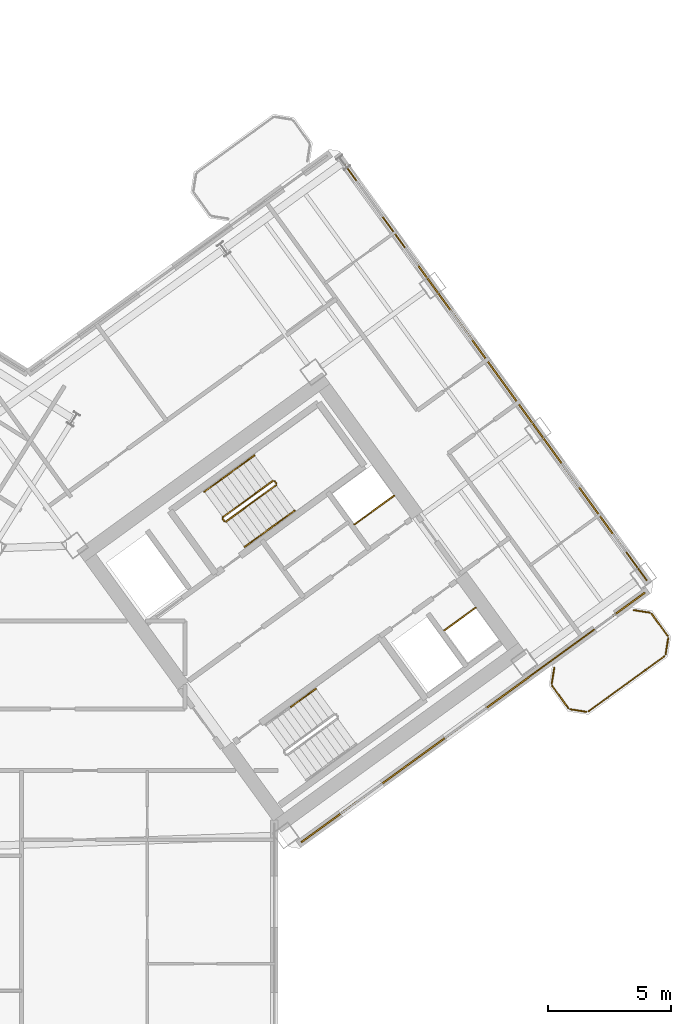
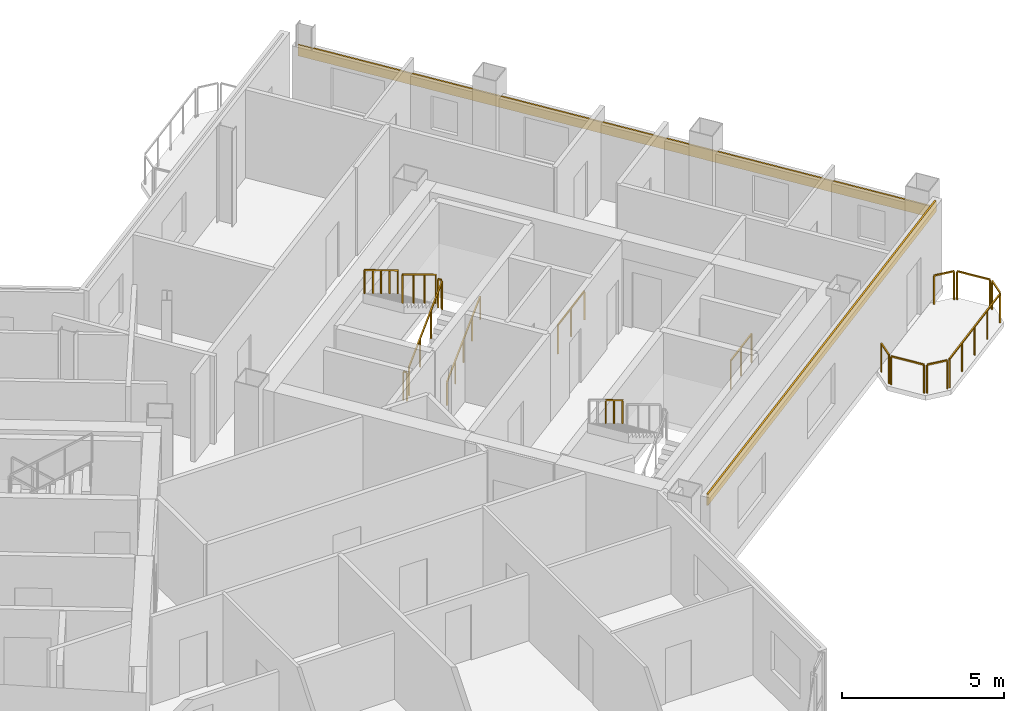
# One storey, part 20 of 21: 18 railings, 2 coverings.
"""IFC4 building model written with IfcOpenShell, lengths in metres."""

from ifc_helpers import new_model, si_unit, direction, frame, origin, origin_2d, place, context, subcontext, project, spatial, rectangle, extrude, source, transform, mapped, material, layer, layer_set, type_object, element, save


model = new_model("IFC4")

# Units and contexts
model_context = context("Model", 3, precision=1e-05, world=origin(), true_north=direction((0.0, 1.0)))
body_context = subcontext(model_context, "Body", "Model", "MODEL_VIEW")
ifc_project = project(units=[si_unit("LENGTHUNIT", "METRE"), si_unit("AREAUNIT", "SQUARE_METRE"), si_unit("VOLUMEUNIT", "CUBIC_METRE"), si_unit("PLANEANGLEUNIT", "RADIAN"), si_unit("MASSUNIT", "GRAM", prefix="KILO")], contexts=[model_context])

# Site, building, storey
site_placement = place(None, origin())
site = spatial("IfcSite", under=ifc_project, at=site_placement, CompositionType="ELEMENT")
building_placement = place(site_placement, origin())
building = spatial("IfcBuilding", under=site, at=building_placement, Name="Tlacorven Tower", CompositionType="ELEMENT")
storey_placement = place(building_placement, frame((0.0, 0.0, 191.39990234375)))
storey = spatial("IfcBuildingStorey", under=building, at=storey_placement, Name="L48", CompositionType="ELEMENT", Elevation=191.39990234375)

# Railings
ifc_material_1 = material(Name="Aluminium and painted steel balustrade", Category="steel")
railing_type_1 = type_object("IfcRailingType", Name="RL-GRD-1100", PredefinedType="GUARDRAIL", material=ifc_material_1)
shared_shape_1 = source(origin(), body_context, "Body", "SweptSolid", [
    extrude(rectangle(XDim=0.048095703125, YDim=0.048095703125, at=origin_2d()), frame((0.0, 0.0, 1.076171875), z_axis=(0.808947177504, 0.587881334972, 0.0), x_axis=(-0.587881334972, 0.808947177504, 0.0)), (0.0, 0.0, 1.0), 2.0),
    extrude(rectangle(XDim=0.0419921875, YDim=0.0419921875, at=origin_2d()), origin(), (0.0, 0.0, 1.0), 1.052001953125),
    extrude(rectangle(XDim=0.0419921875, YDim=0.0419921875, at=origin_2d()), frame((0.80908203125, 0.587890625, 0.0)), (0.0, 0.0, 1.0), 1.052001953125),
    extrude(rectangle(XDim=0.0419921875, YDim=0.0419921875, at=origin_2d()), frame((1.617919921875, 1.17578125, 0.0)), (0.0, 0.0, 1.0), 1.052001953125),
])
railing_1_placement = place(storey_placement, frame((55.506103515625, 25.438232421875, 0.0)))
element("IfcRailing", 1, at=railing_1_placement, inside=storey, type_object=railing_type_1, Name="L48 Electrical Riser E Shaft Guard 1", PredefinedType="GUARDRAIL", context=body_context, shape_type="MappedRepresentation", body=[
    mapped(shared_shape_1, transform((0.0, 0.0, 0.0), scale=1.0)),
])
shared_shape_2 = source(origin(), body_context, "Body", "SweptSolid", [
    extrude(rectangle(XDim=0.048095703125, YDim=0.048095703125, at=origin_2d()), frame((0.0, 0.0, 1.076171875), z_axis=(0.809029975545, 0.58776738483, 0.0), x_axis=(-0.58776738483, 0.809029975545, 0.0)), (0.0, 0.0, 1.0), 1.580078125),
    extrude(rectangle(XDim=0.0419921875, YDim=0.0419921875, at=origin_2d()), origin(), (0.0, 0.0, 1.0), 1.052001953125),
    extrude(rectangle(XDim=0.0419921875, YDim=0.0419921875, at=origin_2d()), frame((0.63916015625, 0.46435546875, 0.0)), (0.0, 0.0, 1.0), 1.052001953125),
    extrude(rectangle(XDim=0.0419921875, YDim=0.0419921875, at=origin_2d()), frame((1.2783203125, 0.9287109375, 0.0)), (0.0, 0.0, 1.0), 1.052001953125),
])
railing_2_placement = place(storey_placement, frame((59.160888671875, 21.122314453125, 0.0)))
element("IfcRailing", 2, at=railing_2_placement, inside=storey, type_object=railing_type_1, Name="L48 Smoke Riser E Shaft Guard 1", PredefinedType="GUARDRAIL", context=body_context, shape_type="MappedRepresentation", body=[
    mapped(shared_shape_2, transform((0.0, 0.0, 0.0), scale=1.0)),
])
railing_type_2 = type_object("IfcRailingType", Name="RL-BAL-1100", PredefinedType="BALUSTRADE", material=ifc_material_1)
shared_shape_3 = source(origin(), body_context, "Body", "SweptSolid", [
    extrude(rectangle(XDim=0.048095703125, YDim=0.048095703125, at=origin_2d()), frame((0.0, 0.0, 1.076171875), z_axis=(0.156602868908, 0.987661653326, 0.0), x_axis=(-0.987661653326, 0.156602868908, 0.0)), (0.0, 0.0, 1.0), 0.665771484375),
    extrude(rectangle(XDim=0.0419921875, YDim=0.0419921875, at=origin_2d()), origin(), (0.0, 0.0, 1.0), 1.052001953125),
    extrude(rectangle(XDim=0.0419921875, YDim=0.0419921875, at=origin_2d()), frame((0.104248046875, 0.657470703125, 0.0)), (0.0, 0.0, 1.0), 1.052001953125),
])
railing_3_placement = place(storey_placement, frame((63.539306640625, 18.949951171875, 0.0)))
element("IfcRailing", 3, at=railing_3_placement, inside=storey, type_object=railing_type_2, Name="BAL-L48-E-OUT Guard Railing 3", PredefinedType="BALUSTRADE", context=body_context, shape_type="MappedRepresentation", body=[
    mapped(shared_shape_3, transform((0.0, 0.0, 0.0), scale=1.0)),
])
shared_shape_4 = source(origin(), body_context, "Body", "SweptSolid", [
    extrude(rectangle(XDim=0.048095703125, YDim=0.048095703125, at=origin_2d()), frame((0.0, 0.0, 1.076171875), z_axis=(0.58788449985, -0.808944877501, 0.0), x_axis=(0.808944877501, 0.58788449985, 0.0)), (0.0, 0.0, 1.0), 1.112060546875),
    extrude(rectangle(XDim=0.0419921875, YDim=0.0419921875, at=origin_2d()), origin(), (0.0, 0.0, 1.0), 1.052001953125),
    extrude(rectangle(XDim=0.0419921875, YDim=0.0419921875, at=origin_2d()), frame((0.65380859375, -0.899658203125, 0.0)), (0.0, 0.0, 1.0), 1.052001953125),
])
railing_4_placement = place(storey_placement, frame((67.60595703125, 21.799072265625, 0.0)))
element("IfcRailing", 4, at=railing_4_placement, inside=storey, type_object=railing_type_2, Name="BAL-L48-E-OUT Guard Railing 5", PredefinedType="BALUSTRADE", context=body_context, shape_type="MappedRepresentation", body=[
    mapped(shared_shape_4, transform((0.0, 0.0, 0.0), scale=1.0)),
])
shared_shape_5 = source(origin(), body_context, "Body", "SweptSolid", [
    extrude(rectangle(XDim=0.048095703125, YDim=0.048095703125, at=origin_2d()), frame((0.0, 0.0, 1.076171875), z_axis=(-0.809018102573, -0.587783726986, 0.0), x_axis=(0.587783726986, -0.809018102573, 0.0)), (0.0, 0.0, 1.0), 3.817138671875),
    extrude(rectangle(XDim=0.0419921875, YDim=0.0419921875, at=origin_2d()), origin(), (0.0, 0.0, 1.0), 1.052001953125),
    extrude(rectangle(XDim=0.0419921875, YDim=0.0419921875, at=origin_2d()), frame((-0.77197265625, -0.56103515625, 0.0)), (0.0, 0.0, 1.0), 1.052001953125),
    extrude(rectangle(XDim=0.0419921875, YDim=0.0419921875, at=origin_2d()), frame((-1.5439453125, -1.121826171875, 0.0)), (0.0, 0.0, 1.0), 1.052001953125),
    extrude(rectangle(XDim=0.0419921875, YDim=0.0419921875, at=origin_2d()), frame((-2.316162109375, -1.6826171875, 0.0)), (0.0, 0.0, 1.0), 1.052001953125),
    extrude(rectangle(XDim=0.0419921875, YDim=0.0419921875, at=origin_2d()), frame((-3.088134765625, -2.24365234375, 0.0)), (0.0, 0.0, 1.0), 1.052001953125),
])
railing_5_placement = place(storey_placement, frame((68.12890625, 20.0732421875, 0.0)))
element("IfcRailing", 5, at=railing_5_placement, inside=storey, type_object=railing_type_2, Name="BAL-L48-E-OUT Guard Railing 7", PredefinedType="BALUSTRADE", context=body_context, shape_type="MappedRepresentation", body=[
    mapped(shared_shape_5, transform((0.0, 0.0, 0.0), scale=1.0)),
])
shared_shape_6 = source(origin(), body_context, "Body", "SweptSolid", [
    extrude(rectangle(XDim=0.048095703125, YDim=0.048095703125, at=origin_2d()), frame((0.0, 0.0, 1.076171875), z_axis=(-0.987718317463, 0.156245081039, 0.0), x_axis=(-0.156245081039, -0.987718317463, 0.0)), (0.0, 0.0, 1.0), 0.66552734375),
    extrude(rectangle(XDim=0.0419921875, YDim=0.0419921875, at=origin_2d()), origin(), (0.0, 0.0, 1.0), 1.052001953125),
    extrude(rectangle(XDim=0.0419921875, YDim=0.0419921875, at=origin_2d()), frame((-0.657470703125, 0.10400390625, 0.0)), (0.0, 0.0, 1.0), 1.052001953125),
])
railing_6_placement = place(storey_placement, frame((64.950927734375, 17.80810546875, 0.0)))
element("IfcRailing", 6, at=railing_6_placement, inside=storey, type_object=railing_type_2, Name="BAL-L48-E-OUT Guard Railing 1", PredefinedType="BALUSTRADE", context=body_context, shape_type="MappedRepresentation", body=[
    mapped(shared_shape_6, transform((0.0, 0.0, 0.0), scale=1.0)),
])
shared_shape_7 = source(origin(), body_context, "Body", "SweptSolid", [
    extrude(rectangle(XDim=0.048095703125, YDim=0.048095703125, at=origin_2d()), frame((0.0, 0.0, 1.076171875), z_axis=(-0.587740817519, 0.809049276263, 0.0), x_axis=(-0.809049276263, -0.587740817519, 0.0)), (0.0, 0.0, 1.0), 1.112060546875),
    extrude(rectangle(XDim=0.0419921875, YDim=0.0419921875, at=origin_2d()), origin(), (0.0, 0.0, 1.0), 1.052001953125),
    extrude(rectangle(XDim=0.0419921875, YDim=0.0419921875, at=origin_2d()), frame((-0.653564453125, 0.899658203125, 0.0)), (0.0, 0.0, 1.0), 1.052001953125),
])
railing_7_placement = place(storey_placement, frame((64.214599609375, 17.96044921875, 0.0)))
element("IfcRailing", 7, at=railing_7_placement, inside=storey, type_object=railing_type_2, Name="BAL-L48-E-OUT Guard Railing 2", PredefinedType="BALUSTRADE", context=body_context, shape_type="MappedRepresentation", body=[
    mapped(shared_shape_7, transform((0.0, 0.0, 0.0), scale=1.0)),
])
shared_shape_8 = source(origin(), body_context, "Body", "SweptSolid", [
    extrude(rectangle(XDim=0.048095703125, YDim=0.048095703125, at=origin_2d()), frame((0.0, 0.0, 1.076171875), z_axis=(-0.156245081039, -0.987718317463, 0.0), x_axis=(0.987718317463, -0.156245081039, 0.0)), (0.0, 0.0, 1.0), 0.66552734375),
    extrude(rectangle(XDim=0.0419921875, YDim=0.0419921875, at=origin_2d()), origin(), (0.0, 0.0, 1.0), 1.052001953125),
    extrude(rectangle(XDim=0.0419921875, YDim=0.0419921875, at=origin_2d()), frame((-0.10400390625, -0.657470703125, 0.0)), (0.0, 0.0, 1.0), 1.052001953125),
])
railing_8_placement = place(storey_placement, frame((68.28125, 20.8095703125, 0.0)))
element("IfcRailing", 8, at=railing_8_placement, inside=storey, type_object=railing_type_2, Name="BAL-L48-E-OUT Guard Railing 6", PredefinedType="BALUSTRADE", context=body_context, shape_type="MappedRepresentation", body=[
    mapped(shared_shape_8, transform((0.0, 0.0, 0.0), scale=1.0)),
])

# Coverings
ifc_material_2 = material(Name="Precast concrete C45/55", Category="concrete")
ifc_layer = layer(ifc_material_2, 0.06005859375)
ifc_layer_set = layer_set([ifc_layer], Name="Precast concrete C45/55")
covering_type = type_object("IfcCoveringType", Name="CV-CLD-TERC", PredefinedType="CLADDING", material=ifc_layer_set)
shared_shape_9 = source(origin(), body_context, "Body", "SweptSolid", [
    extrude(rectangle(XDim=21.287353515625, YDim=0.06005859375, at=origin_2d()), origin(), (0.0, 0.0, 1.0), 0.419921875),
])
covering_1_placement = place(storey_placement, frame((61.15478515625, 31.767333984375, 2.375244140625), z_axis=(0.0, 0.0, 1.0), x_axis=(0.587785363163, -0.809016913823, 0.0)))
element("IfcCovering", 9, at=covering_1_placement, inside=storey, type_object=covering_type, Name="L48 Masonry-Frame Spandrel Cladding 5", PredefinedType="CLADDING", context=body_context, shape_type="MappedRepresentation", body=[
    mapped(shared_shape_9, transform((0.0, 0.0, 0.0), scale=1.0)),
])
shared_shape_10 = source(origin(), body_context, "Body", "SweptSolid", [
    extrude(rectangle(XDim=17.287353515625, YDim=0.06005859375, at=origin_2d()), origin(), (0.0, 0.0, 1.0), 0.419921875),
])
covering_2_placement = place(storey_placement, frame((60.339111328125, 17.578125, 2.900146484375), z_axis=(0.0, 0.0, 1.0), x_axis=(-0.809016829126, -0.587785479738, 0.0)))
element("IfcCovering", 10, at=covering_2_placement, inside=storey, type_object=covering_type, Name="L48 Masonry-Frame Spandrel Cladding 6", PredefinedType="CLADDING", context=body_context, shape_type="MappedRepresentation", body=[
    mapped(shared_shape_10, transform((0.0, 0.0, 0.0), scale=1.0)),
])

# Railings
shared_shape_11 = source(origin(), body_context, "Body", "SweptSolid", [
    extrude(rectangle(XDim=0.048095703125, YDim=0.048095703125, at=origin_2d()), frame((0.0, 0.0, 1.076171875), z_axis=(0.987727266442, -0.156188498702, 0.0), x_axis=(0.156188498702, 0.987727266442, 0.0)), (0.0, 0.0, 1.0), 0.665771484375),
    extrude(rectangle(XDim=0.0419921875, YDim=0.0419921875, at=origin_2d()), origin(), (0.0, 0.0, 1.0), 1.052001953125),
    extrude(rectangle(XDim=0.0419921875, YDim=0.0419921875, at=origin_2d()), frame((0.65771484375, -0.10400390625, 0.0)), (0.0, 0.0, 1.0), 1.052001953125),
])
railing_9_placement = place(storey_placement, frame((66.86962890625, 21.951416015625, 0.0)))
element("IfcRailing", 11, at=railing_9_placement, inside=storey, type_object=railing_type_2, Name="BAL-L48-E-OUT Guard Railing 4", PredefinedType="BALUSTRADE", context=body_context, shape_type="MappedRepresentation", body=[
    mapped(shared_shape_11, transform((0.0, 0.0, 0.0), scale=1.0)),
])
shared_shape_12 = source(origin(), body_context, "Body", "SweptSolid", [
    extrude(rectangle(XDim=0.048095703125, YDim=0.048095703125, at=origin_2d()), frame((0.0, 0.0, 1.076171875), z_axis=(-0.587201422542, 0.809440849824, 0.0), x_axis=(-0.809440849824, -0.587201422542, 0.0)), (0.0, 0.0, 1.0), 0.11962890625),
    extrude(rectangle(XDim=0.0419921875, YDim=0.0419921875, at=origin_2d()), origin(), (0.0, 0.0, 1.0), 1.052001953125),
    extrude(rectangle(XDim=0.0419921875, YDim=0.0419921875, at=origin_2d()), frame((-0.0703125, 0.096923828125, 0.0)), (0.0, 0.0, 1.0), 1.052001953125),
])
for number, where, name in (
    (12, (52.326904296875, 27.10888671875, 1.800048828125), "L48 ST-E1 stair guard 2"),
    (13, (50.207275390625, 25.56884765625, 0.0), "L48 ST-E1 stair guard 4"),
):
    element("IfcRailing", number, at=place(storey_placement, frame(where)), inside=storey, type_object=railing_type_1, Name=name, PredefinedType="GUARDRAIL", context=body_context, shape_type="MappedRepresentation", body=[
        mapped(shared_shape_12, transform((0.0, 0.0, 0.0), scale=1.0)),
    ])
shared_shape_13 = source(origin(), body_context, "Body", "SweptSolid", [
    extrude(rectangle(XDim=0.048095703125, YDim=0.048095703125, at=origin_2d()), frame((0.0, 0.0, 1.076171875), z_axis=(-0.680488636597, -0.494434078831, 0.540805100894), x_axis=(0.5878087079, -0.808999952359, 0.0)), (0.0, 0.0, 1.0), 2.995849609375),
    extrude(rectangle(XDim=0.0419921875, YDim=0.0419921875, at=origin_2d()), origin(), (0.0, 0.0, 1.0), 1.052001953125),
    extrude(rectangle(XDim=0.0419921875, YDim=0.0419921875, at=origin_2d()), frame((-0.679443359375, -0.49365234375, 0.5400390625)), (0.0, 0.0, 1.0), 1.052001953125),
    extrude(rectangle(XDim=0.0419921875, YDim=0.0419921875, at=origin_2d()), frame((-1.359130859375, -0.987548828125, 1.080078125)), (0.0, 0.0, 1.0), 1.052001953125),
    extrude(rectangle(XDim=0.0419921875, YDim=0.0419921875, at=origin_2d()), frame((-2.03857421875, -1.481201171875, 1.6201171875)), (0.0, 0.0, 1.0), 1.052001953125),
])
railing_10_placement = place(storey_placement, frame((52.1865234375, 27.217041015625, 1.97998046875)))
element("IfcRailing", 14, at=railing_10_placement, inside=storey, type_object=railing_type_1, Name="L48 ST-E1 stair guard 3", PredefinedType="GUARDRAIL", context=body_context, shape_type="MappedRepresentation", body=[
    mapped(shared_shape_13, transform((0.0, 0.0, 0.0), scale=1.0)),
])
railing_type_3 = type_object("IfcRailingType", Name="RL-HND-0900", PredefinedType="HANDRAIL", material=ifc_material_1)
shared_shape_14 = source(origin(), body_context, "Body", "SweptSolid", [
    extrude(rectangle(XDim=0.048095703125, YDim=0.048095703125, at=origin_2d()), frame((0.0, 0.0, 0.8759765625), z_axis=(0.680548719995, 0.49444080854, 0.540723336433), x_axis=(-0.587779977844, 0.80902082646, 0.0)), (0.0, 0.0, 1.0), 1.498046875),
    extrude(rectangle(XDim=0.0419921875, YDim=0.0419921875, at=origin_2d()), origin(), (0.0, 0.0, 1.0), 0.851806640625),
    extrude(rectangle(XDim=0.0419921875, YDim=0.0419921875, at=origin_2d()), frame((0.509765625, 0.370361328125, 0.405029296875)), (0.0, 0.0, 1.0), 0.851806640625),
    extrude(rectangle(XDim=0.0419921875, YDim=0.0419921875, at=origin_2d()), frame((1.01953125, 0.74072265625, 0.81005859375)), (0.0, 0.0, 1.0), 0.851806640625),
])
railing_11_placement = place(storey_placement, frame((52.048828125, 25.2626953125, 0.989990234375)))
element("IfcRailing", 15, at=railing_11_placement, inside=storey, type_object=railing_type_3, Name="L48 ST-E1 stair handrail 2", PredefinedType="HANDRAIL", context=body_context, shape_type="MappedRepresentation", body=[
    mapped(shared_shape_14, transform((0.0, 0.0, 0.0), scale=1.0)),
])
shared_shape_15 = source(origin(), body_context, "Body", "SweptSolid", [
    extrude(rectangle(XDim=0.048095703125, YDim=0.048095703125, at=origin_2d()), frame((0.0, 0.0, 0.8759765625), z_axis=(-0.680603554404, -0.494317667746, 0.540766904577), x_axis=(0.587653156371, -0.809112951205, 0.0)), (0.0, 0.0, 1.0), 1.498046875),
    extrude(rectangle(XDim=0.0419921875, YDim=0.0419921875, at=origin_2d()), origin(), (0.0, 0.0, 1.0), 0.851806640625),
    extrude(rectangle(XDim=0.0419921875, YDim=0.0419921875, at=origin_2d()), frame((-0.509765625, -0.3701171875, 0.405029296875)), (0.0, 0.0, 1.0), 0.851806640625),
    extrude(rectangle(XDim=0.0419921875, YDim=0.0419921875, at=origin_2d()), frame((-1.01953125, -0.740478515625, 0.81005859375)), (0.0, 0.0, 1.0), 0.851806640625),
])
railing_12_placement = place(storey_placement, frame((51.434326171875, 28.25244140625, 1.97998046875)))
element("IfcRailing", 16, at=railing_12_placement, inside=storey, type_object=railing_type_3, Name="L48 ST-E1 stair handrail 3", PredefinedType="HANDRAIL", context=body_context, shape_type="MappedRepresentation", body=[
    mapped(shared_shape_15, transform((0.0, 0.0, 0.0), scale=1.0)),
])
shared_shape_16 = source(origin(), body_context, "Body", "SweptSolid", [
    extrude(rectangle(XDim=0.048095703125, YDim=0.048095703125, at=origin_2d()), frame((0.0, 0.0, 0.8759765625), z_axis=(-0.680461216233, -0.494495647917, 0.540783309093), x_axis=(0.587872112667, -0.808953879494, 0.0)), (0.0, 0.0, 1.0), 1.498046875),
    extrude(rectangle(XDim=0.0419921875, YDim=0.0419921875, at=origin_2d()), origin(), (0.0, 0.0, 1.0), 0.851806640625),
    extrude(rectangle(XDim=0.0419921875, YDim=0.0419921875, at=origin_2d()), frame((-0.509765625, -0.370361328125, 0.405029296875)), (0.0, 0.0, 1.0), 0.851806640625),
    extrude(rectangle(XDim=0.0419921875, YDim=0.0419921875, at=origin_2d()), frame((-1.019287109375, -0.74072265625, 0.81005859375)), (0.0, 0.0, 1.0), 0.851806640625),
])
railing_13_placement = place(storey_placement, frame((50.414794921875, 27.511962890625, 2.7900390625)))
element("IfcRailing", 17, at=railing_13_placement, inside=storey, type_object=railing_type_3, Name="L48 ST-E1 stair handrail 4", PredefinedType="HANDRAIL", context=body_context, shape_type="MappedRepresentation", body=[
    mapped(shared_shape_16, transform((0.0, 0.0, 0.0), scale=1.0)),
])
shared_shape_17 = source(origin(), body_context, "Body", "SweptSolid", [
    extrude(rectangle(XDim=0.048095703125, YDim=0.048095703125, at=origin_2d()), frame((0.0, 0.0, 1.076171875), z_axis=(0.680518627673, 0.494455869951, 0.540747436481), x_axis=(-0.5878087079, 0.808999952359, 0.0)), (0.0, 0.0, 1.0), 2.99560546875),
    extrude(rectangle(XDim=0.0419921875, YDim=0.0419921875, at=origin_2d()), origin(), (0.0, 0.0, 1.0), 1.052001953125),
    extrude(rectangle(XDim=0.0419921875, YDim=0.0419921875, at=origin_2d()), frame((0.679443359375, 0.49365234375, 0.5400390625)), (0.0, 0.0, 1.0), 1.052001953125),
    extrude(rectangle(XDim=0.0419921875, YDim=0.0419921875, at=origin_2d()), frame((1.359130859375, 0.987548828125, 1.079833984375)), (0.0, 0.0, 1.0), 1.052001953125),
    extrude(rectangle(XDim=0.0419921875, YDim=0.0419921875, at=origin_2d()), frame((2.03857421875, 1.481201171875, 1.619873046875)), (0.0, 0.0, 1.0), 1.052001953125),
])
railing_14_placement = place(storey_placement, frame((50.27734375, 25.557861328125, 0.18017578125)))
element("IfcRailing", 18, at=railing_14_placement, inside=storey, type_object=railing_type_1, Name="L48 ST-E1 stair guard 1", PredefinedType="GUARDRAIL", context=body_context, shape_type="MappedRepresentation", body=[
    mapped(shared_shape_17, transform((0.0, 0.0, 0.0), scale=1.0)),
])
shared_shape_18 = source(origin(), body_context, "Body", "SweptSolid", [
    extrude(rectangle(XDim=0.048095703125, YDim=0.048095703125, at=origin_2d()), frame((0.0, 0.0, 0.8759765625), z_axis=(0.680576044605, 0.494416082224, 0.54071155448), x_axis=(-0.587745292299, 0.809046025502, 0.0)), (0.0, 0.0, 1.0), 1.497802734375),
    extrude(rectangle(XDim=0.0419921875, YDim=0.0419921875, at=origin_2d()), origin(), (0.0, 0.0, 1.0), 0.851806640625),
    extrude(rectangle(XDim=0.0419921875, YDim=0.0419921875, at=origin_2d()), frame((0.509765625, 0.3701171875, 0.40478515625)), (0.0, 0.0, 1.0), 0.851806640625),
    extrude(rectangle(XDim=0.0419921875, YDim=0.0419921875, at=origin_2d()), frame((1.019287109375, 0.740478515625, 0.809814453125)), (0.0, 0.0, 1.0), 0.851806640625),
])
railing_15_placement = place(storey_placement, frame((51.029541015625, 24.522216796875, 0.18017578125)))
element("IfcRailing", 19, at=railing_15_placement, inside=storey, type_object=railing_type_3, Name="L48 ST-E1 stair handrail 1", PredefinedType="HANDRAIL", context=body_context, shape_type="MappedRepresentation", body=[
    mapped(shared_shape_18, transform((0.0, 0.0, 0.0), scale=1.0)),
])
shared_shape_19 = source(origin(), body_context, "Body", "SweptSolid", [
    extrude(rectangle(XDim=0.048095703125, YDim=0.048095703125, at=origin_2d()), frame((0.0, 0.0, 0.8759765625), z_axis=(-0.680516055757, -0.494372502302, 0.540826891737), x_axis=(0.587745292299, -0.809046025502, 0.0)), (0.0, 0.0, 1.0), 1.497802734375),
    extrude(rectangle(XDim=0.0419921875, YDim=0.0419921875, at=origin_2d()), origin(), (0.0, 0.0, 1.0), 0.851806640625),
    extrude(rectangle(XDim=0.0419921875, YDim=0.0419921875, at=origin_2d()), frame((-0.509765625, -0.3701171875, 0.405029296875)), (0.0, 0.0, 1.0), 0.851806640625),
    extrude(rectangle(XDim=0.0419921875, YDim=0.0419921875, at=origin_2d()), frame((-1.019287109375, -0.740478515625, 0.81005859375)), (0.0, 0.0, 1.0), 0.851806640625),
])
railing_16_placement = place(storey_placement, frame((53.938232421875, 18.749267578125, 1.97998046875)))
element("IfcRailing", 20, at=railing_16_placement, inside=storey, type_object=railing_type_3, Name="L48 ST-E2 stair handrail 3", PredefinedType="HANDRAIL", context=body_context, shape_type="MappedRepresentation", body=[
    mapped(shared_shape_19, transform((0.0, 0.0, 0.0), scale=1.0)),
])

save(model, "model.ifc")
